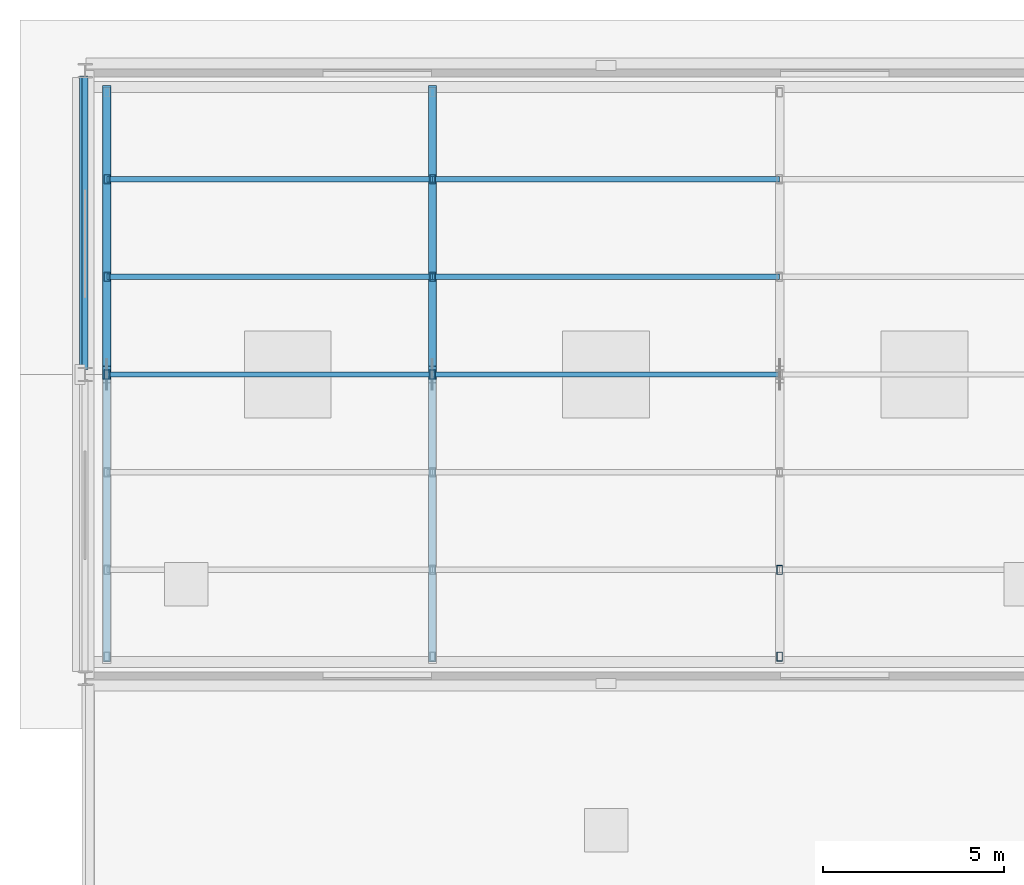
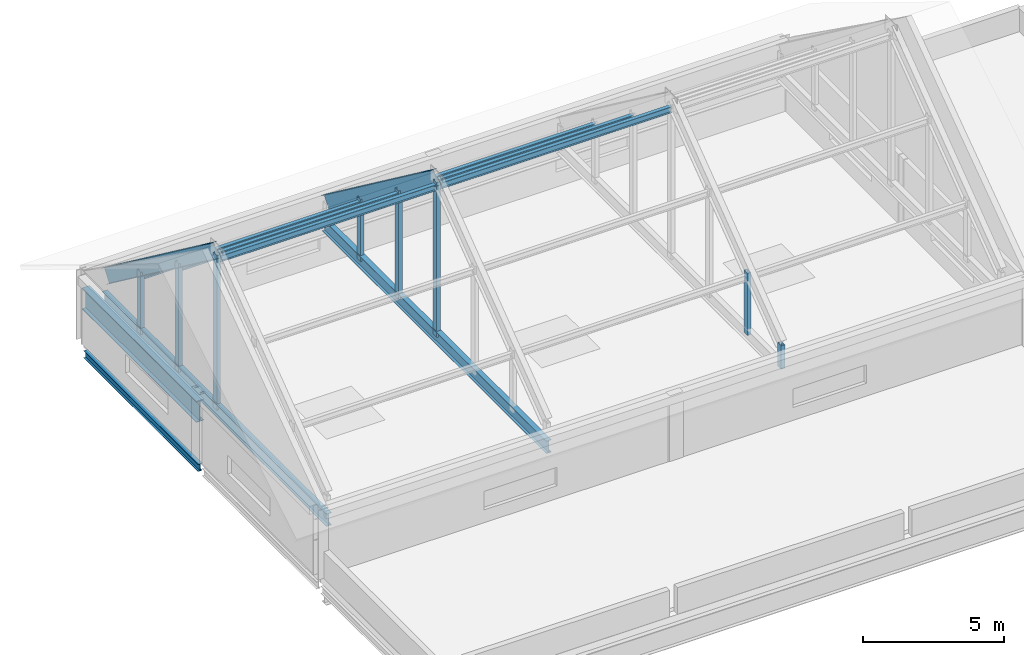
# One storey, part 3 of 10: 12 beams, 8 members.
"""IFC4 building model written with IfcOpenShell, lengths in metres."""

from ifc_helpers import new_model, si_unit, direction, frame, origin, origin_2d, place, context, subcontext, project, spatial, hollow_rectangle, i_section, extrude, material, material_profile, profile_set, type_object, element, save


model = new_model("IFC4")

# Units and contexts
model_context = context("Model", 3, precision=1e-05, world=origin(), true_north=direction((0.0, 1.0)))
body_context = subcontext(model_context, "Body", "Model", "MODEL_VIEW")
ifc_project = project(units=[si_unit("LENGTHUNIT", "METRE"), si_unit("AREAUNIT", "SQUARE_METRE"), si_unit("VOLUMEUNIT", "CUBIC_METRE"), si_unit("PLANEANGLEUNIT", "RADIAN"), si_unit("MASSUNIT", "GRAM", prefix="KILO")], contexts=[model_context])

# Site, building, storey
site_placement = place(None, origin())
site = spatial("IfcSite", under=ifc_project, at=site_placement, CompositionType="ELEMENT")
building_placement = place(site_placement, origin())
building = spatial("IfcBuilding", under=site, at=building_placement, Name="Lornevale Opera House", CompositionType="ELEMENT")
storey_placement = place(building_placement, frame((0.0, 0.0, 31.199951171875)))
storey = spatial("IfcBuildingStorey", under=building, at=storey_placement, Name="RF", CompositionType="ELEMENT", Elevation=31.199951171875)

# Beams
ifc_material = material(Name="Structural Steel CSA G40.21 Grade 350W (350 MPa)", Category="steel")
ifc_material_profile_1 = material_profile(ifc_material, i_section(OverallWidth=0.2099609375, OverallDepth=0.537109375, WebThickness=0.010986328125, FlangeThickness=0.017333984375, at=origin_2d()), Name="W530x101")
ifc_profile_set_1 = profile_set([ifc_material_profile_1], Name="Structural Steel CSA G40.21 Grade 350W (350 MPa)")
beam_type_1 = type_object("IfcBeamType", Name="Auditorium Truss Bottom Chord W530x101", PredefinedType="BEAM", material=ifc_profile_set_1)
for number, where, z_axis, x_axis, name in (
    (1, (67.800048828125, 67.64990234375, 1.949951171875), (0.0, 1.0, 0.0), (-1.0, 0.0, 0.0), "Auditorium Truss Bottom Chord W530x101 2990"),
    (2, (76.800048828125, 67.64990234375, 1.949951171875), (0.0, 1.0, 0.0), (-1.0, 0.0, 0.0), "Auditorium Truss Bottom Chord W530x101 2993"),
):
    element("IfcBeam", number, at=place(storey_placement, frame(where, z_axis=z_axis, x_axis=x_axis)), inside=storey, type_object=beam_type_1, Name=name, PredefinedType="BEAM", context=body_context, shape_type="SweptSolid", body=[
        extrude(i_section(OverallWidth=0.2099609375, OverallDepth=0.537109375, WebThickness=0.010986328125, FlangeThickness=0.017333984375, at=origin_2d()), origin(), (0.0, 0.0, 1.0), 15.900146484375),
    ])
ifc_material_profile_2 = material_profile(ifc_material, i_section(OverallWidth=0.22900390625, OverallDepth=0.612060546875, WebThickness=0.011962890625, FlangeThickness=0.01953125, at=origin_2d()), Name="W610x125")
ifc_profile_set_2 = profile_set([ifc_material_profile_2], Name="Structural Steel CSA G40.21 Grade 350W (350 MPa)")
beam_type_2 = type_object("IfcBeamType", Name="Auditorium Truss Top Chord W610x125", PredefinedType="BEAM", material=ifc_profile_set_2)
for number, where, z_axis, x_axis, name in (
    (3, (67.800048828125, 75.64990234375, 8.75), (0.0, 0.801113071648, -0.598513029461), (-1.0, 0.0, 0.0), "Auditorium Truss Top Chord W610x125 2992"),
    (4, (76.800048828125, 75.64990234375, 8.75), (0.0, 0.801113071648, -0.598513029461), (-1.0, 0.0, 0.0), "Auditorium Truss Top Chord W610x125 2995"),
):
    element("IfcBeam", number, at=place(storey_placement, frame(where, z_axis=z_axis, x_axis=x_axis)), inside=storey, type_object=beam_type_2, Name=name, PredefinedType="BEAM", context=body_context, shape_type="SweptSolid", body=[
        extrude(i_section(OverallWidth=0.22900390625, OverallDepth=0.612060546875, WebThickness=0.011962890625, FlangeThickness=0.01953125, at=origin_2d()), origin(), (0.0, 0.0, 1.0), 9.674072265625),
    ])
ifc_material_profile_3 = material_profile(ifc_material, i_section(OverallWidth=0.14794921875, OverallDepth=0.26611328125, WebThickness=0.007568359375, FlangeThickness=0.012939453125, at=origin_2d()), Name="W250x45")
ifc_profile_set_3 = profile_set([ifc_material_profile_3], Name="Structural Steel CSA G40.21 Grade 350W (350 MPa)")
beam_type_3 = type_object("IfcBeamType", Name="Copper Roof Purlin W250x45", PredefinedType="JOIST", material=ifc_profile_set_3)
beam_1_placement = place(storey_placement, frame((67.800048828125, 75.60009765625, 8.400146484375), z_axis=(1.0, 0.0, 0.0), x_axis=(0.0, 1.0, 0.0)))
element("IfcBeam", 5, at=beam_1_placement, inside=storey, type_object=beam_type_3, Name="Copper Roof Purlin W250x45 3008", PredefinedType="JOIST", context=body_context, shape_type="SweptSolid", body=[
    extrude(i_section(OverallWidth=0.14794921875, OverallDepth=0.26611328125, WebThickness=0.007568359375, FlangeThickness=0.012939453125, at=origin_2d()), origin(), (0.0, 0.0, 1.0), 9.0),
])
beam_2_placement = place(storey_placement, frame((76.800048828125, 75.60009765625, 8.400146484375), z_axis=(1.0, 0.0, 0.0), x_axis=(0.0, 1.0, 0.0)))
element("IfcBeam", 6, at=beam_2_placement, inside=storey, type_object=beam_type_3, Name="Copper Roof Purlin W250x45 3009", PredefinedType="JOIST", context=body_context, shape_type="SweptSolid", body=[
    extrude(i_section(OverallWidth=0.14794921875, OverallDepth=0.26611328125, WebThickness=0.007568359375, FlangeThickness=0.012939453125, at=origin_2d()), origin(), (0.0, 0.0, 1.0), 9.599853515625),
])
beam_3_placement = place(storey_placement, frame((67.800048828125, 78.300048828125, 6.395751953125), z_axis=(1.0, 0.0, 0.0), x_axis=(0.0, 1.0, 0.0)))
element("IfcBeam", 7, at=beam_3_placement, inside=storey, type_object=beam_type_3, Name="Copper Roof Purlin W250x45 3011", PredefinedType="JOIST", context=body_context, shape_type="SweptSolid", body=[
    extrude(i_section(OverallWidth=0.14794921875, OverallDepth=0.26611328125, WebThickness=0.007568359375, FlangeThickness=0.012939453125, at=origin_2d()), origin(), (0.0, 0.0, 1.0), 9.0),
])
beam_4_placement = place(storey_placement, frame((76.800048828125, 78.300048828125, 6.395751953125), z_axis=(1.0, 0.0, 0.0), x_axis=(0.0, 1.0, 0.0)))
element("IfcBeam", 8, at=beam_4_placement, inside=storey, type_object=beam_type_3, Name="Copper Roof Purlin W250x45 3012", PredefinedType="JOIST", context=body_context, shape_type="SweptSolid", body=[
    extrude(i_section(OverallWidth=0.14794921875, OverallDepth=0.26611328125, WebThickness=0.007568359375, FlangeThickness=0.012939453125, at=origin_2d()), origin(), (0.0, 0.0, 1.0), 9.599853515625),
])
beam_5_placement = place(storey_placement, frame((67.800048828125, 81.0, 4.3916015625), z_axis=(1.0, 0.0, 0.0), x_axis=(0.0, 1.0, 0.0)))
element("IfcBeam", 9, at=beam_5_placement, inside=storey, type_object=beam_type_3, Name="Copper Roof Purlin W250x45 3014", PredefinedType="JOIST", context=body_context, shape_type="SweptSolid", body=[
    extrude(i_section(OverallWidth=0.14794921875, OverallDepth=0.26611328125, WebThickness=0.007568359375, FlangeThickness=0.012939453125, at=origin_2d()), origin(), (0.0, 0.0, 1.0), 9.0),
])
beam_6_placement = place(storey_placement, frame((76.800048828125, 81.0, 4.3916015625), z_axis=(1.0, 0.0, 0.0), x_axis=(0.0, 1.0, 0.0)))
element("IfcBeam", 10, at=beam_6_placement, inside=storey, type_object=beam_type_3, Name="Copper Roof Purlin W250x45 3015", PredefinedType="JOIST", context=body_context, shape_type="SweptSolid", body=[
    extrude(i_section(OverallWidth=0.14794921875, OverallDepth=0.26611328125, WebThickness=0.007568359375, FlangeThickness=0.012939453125, at=origin_2d()), origin(), (0.0, 0.0, 1.0), 9.599853515625),
])

# Members
ifc_material_profile_4 = material_profile(ifc_material, hollow_rectangle(XDim=0.152099609375, YDim=0.25390625, WallThickness=0.010986328125, at=origin_2d()), Name="HSS254x152x11")
ifc_profile_set_4 = profile_set([ifc_material_profile_4], Name="Structural Steel CSA G40.21 Grade 350W (350 MPa)")
member_type = type_object("IfcMemberType", Name="Stage Truss Web HSS254x152x11", PredefinedType="STRUT", material=ifc_profile_set_4)
member_1_placement = place(storey_placement, frame((67.800048828125, 75.60009765625, 1.949951171875), z_axis=(0.0, 0.0, 1.0), x_axis=(1.0, 0.0, 0.0)))
element("IfcMember", 11, at=member_1_placement, inside=storey, type_object=member_type, Name="Stage Truss Web HSS254x152x11 0072", PredefinedType="STRUT", context=body_context, shape_type="SweptSolid", body=[
    extrude(hollow_rectangle(XDim=0.152099609375, YDim=0.25390625, WallThickness=0.010986328125, at=origin_2d()), origin(), (0.0, 0.0, 1.0), 6.7001953125),
])
member_2_placement = place(storey_placement, frame((67.800048828125, 78.300048828125, 1.949951171875), z_axis=(0.0, 0.0, 1.0), x_axis=(1.0, 0.0, 0.0)))
element("IfcMember", 12, at=member_2_placement, inside=storey, type_object=member_type, Name="Stage Truss Web HSS254x152x11 0073", PredefinedType="STRUT", context=body_context, shape_type="SweptSolid", body=[
    extrude(hollow_rectangle(XDim=0.152099609375, YDim=0.25390625, WallThickness=0.010986328125, at=origin_2d()), origin(), (0.0, 0.0, 1.0), 4.69580078125),
])
member_3_placement = place(storey_placement, frame((67.800048828125, 81.0, 1.949951171875), z_axis=(0.0, 0.0, 1.0), x_axis=(1.0, 0.0, 0.0)))
element("IfcMember", 13, at=member_3_placement, inside=storey, type_object=member_type, Name="Stage Truss Web HSS254x152x11 0074", PredefinedType="STRUT", context=body_context, shape_type="SweptSolid", body=[
    extrude(hollow_rectangle(XDim=0.152099609375, YDim=0.25390625, WallThickness=0.010986328125, at=origin_2d()), origin(), (0.0, 0.0, 1.0), 2.691650390625),
])
member_4_placement = place(storey_placement, frame((76.800048828125, 75.60009765625, 1.949951171875), z_axis=(0.0, 0.0, 1.0), x_axis=(1.0, 0.0, 0.0)))
element("IfcMember", 14, at=member_4_placement, inside=storey, type_object=member_type, Name="Stage Truss Web HSS254x152x11 0079", PredefinedType="STRUT", context=body_context, shape_type="SweptSolid", body=[
    extrude(hollow_rectangle(XDim=0.152099609375, YDim=0.25390625, WallThickness=0.010986328125, at=origin_2d()), origin(), (0.0, 0.0, 1.0), 6.7001953125),
])
member_5_placement = place(storey_placement, frame((76.800048828125, 78.300048828125, 1.949951171875), z_axis=(0.0, 0.0, 1.0), x_axis=(1.0, 0.0, 0.0)))
element("IfcMember", 15, at=member_5_placement, inside=storey, type_object=member_type, Name="Stage Truss Web HSS254x152x11 0080", PredefinedType="STRUT", context=body_context, shape_type="SweptSolid", body=[
    extrude(hollow_rectangle(XDim=0.152099609375, YDim=0.25390625, WallThickness=0.010986328125, at=origin_2d()), origin(), (0.0, 0.0, 1.0), 4.69580078125),
])
member_6_placement = place(storey_placement, frame((76.800048828125, 81.0, 1.949951171875), z_axis=(0.0, 0.0, 1.0), x_axis=(1.0, 0.0, 0.0)))
element("IfcMember", 16, at=member_6_placement, inside=storey, type_object=member_type, Name="Stage Truss Web HSS254x152x11 0081", PredefinedType="STRUT", context=body_context, shape_type="SweptSolid", body=[
    extrude(hollow_rectangle(XDim=0.152099609375, YDim=0.25390625, WallThickness=0.010986328125, at=origin_2d()), origin(), (0.0, 0.0, 1.0), 2.691650390625),
])
member_7_placement = place(storey_placement, frame((86.39990234375, 67.800048828125, 1.949951171875), z_axis=(0.0, 0.0, 1.0), x_axis=(1.0, 0.0, 0.0)))
element("IfcMember", 17, at=member_7_placement, inside=storey, type_object=member_type, Name="Stage Truss Web HSS254x152x11 0082", PredefinedType="STRUT", context=body_context, shape_type="SweptSolid", body=[
    extrude(hollow_rectangle(XDim=0.152099609375, YDim=0.25390625, WallThickness=0.010986328125, at=origin_2d()), origin(), (0.0, 0.0, 1.0), 1.010009765625),
])
member_8_placement = place(storey_placement, frame((86.39990234375, 70.199951171875, 1.949951171875), z_axis=(0.0, 0.0, 1.0), x_axis=(1.0, 0.0, 0.0)))
element("IfcMember", 18, at=member_8_placement, inside=storey, type_object=member_type, Name="Stage Truss Web HSS254x152x11 0084", PredefinedType="STRUT", context=body_context, shape_type="SweptSolid", body=[
    extrude(hollow_rectangle(XDim=0.152099609375, YDim=0.25390625, WallThickness=0.010986328125, at=origin_2d()), origin(), (0.0, 0.0, 1.0), 2.691650390625),
])

# Beams
ifc_material_profile_5 = material_profile(ifc_material, i_section(OverallWidth=0.1669921875, OverallDepth=0.31689453125, WebThickness=0.007568359375, FlangeThickness=0.01318359375, at=origin_2d()), Name="W310x52")
ifc_profile_set_5 = profile_set([ifc_material_profile_5], Name="Structural Steel CSA G40.21 Grade 350W (350 MPa)")
beam_type_4 = type_object("IfcBeamType", Name="Steel Spandrel Beam W310x52", PredefinedType="SPANDREL", material=ifc_profile_set_5)
beam_7_placement = place(storey_placement, frame((67.199951171875, 75.743408203125, -0.493408203125), z_axis=(0.0, 1.0, 0.0), x_axis=(-1.0, 0.0, 0.0)))
element("IfcBeam", 19, at=beam_7_placement, inside=storey, type_object=beam_type_4, Name="Steel Spandrel Beam W310x52 2910", PredefinedType="SPANDREL", context=body_context, shape_type="SweptSolid", body=[
    extrude(i_section(OverallWidth=0.1669921875, OverallDepth=0.31689453125, WebThickness=0.007568359375, FlangeThickness=0.01318359375, at=origin_2d()), origin(), (0.0, 0.0, 1.0), 8.113037109375),
])
ifc_material_profile_6 = material_profile(ifc_material, i_section(OverallWidth=0.305908203125, OverallDepth=0.9189453125, WebThickness=0.017333984375, FlangeThickness=0.02783203125, at=origin_2d()), Name="W920x253")
ifc_profile_set_6 = profile_set([ifc_material_profile_6], Name="Structural Steel CSA G40.21 Grade 350W (350 MPa)")
beam_type_5 = type_object("IfcBeamType", Name="Steel Stagehouse Girder W920x253", PredefinedType="USERDEFINED", material=ifc_profile_set_6)
beam_8_placement = place(storey_placement, frame((67.199951171875, 75.75, 1.949951171875), z_axis=(0.0, 1.0, 0.0), x_axis=(-1.0, 0.0, 0.0)))
element("IfcBeam", 20, at=beam_8_placement, inside=storey, type_object=beam_type_5, Name="Steel Stagehouse Girder W920x253 2985", ObjectType="GIRDER", PredefinedType="USERDEFINED", context=body_context, shape_type="SweptSolid", body=[
    extrude(i_section(OverallWidth=0.305908203125, OverallDepth=0.9189453125, WebThickness=0.017333984375, FlangeThickness=0.02783203125, at=origin_2d()), origin(), (0.0, 0.0, 1.0), 8.10009765625),
])

save(model, "model.ifc")
